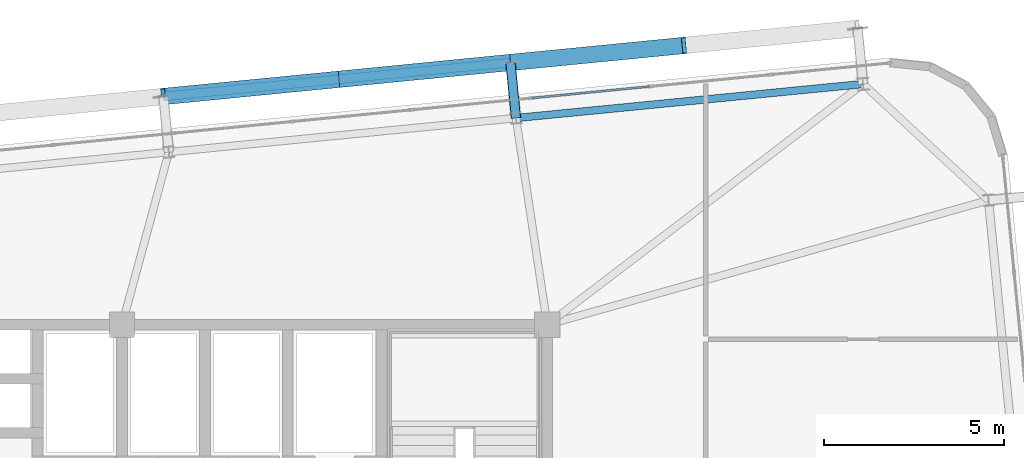
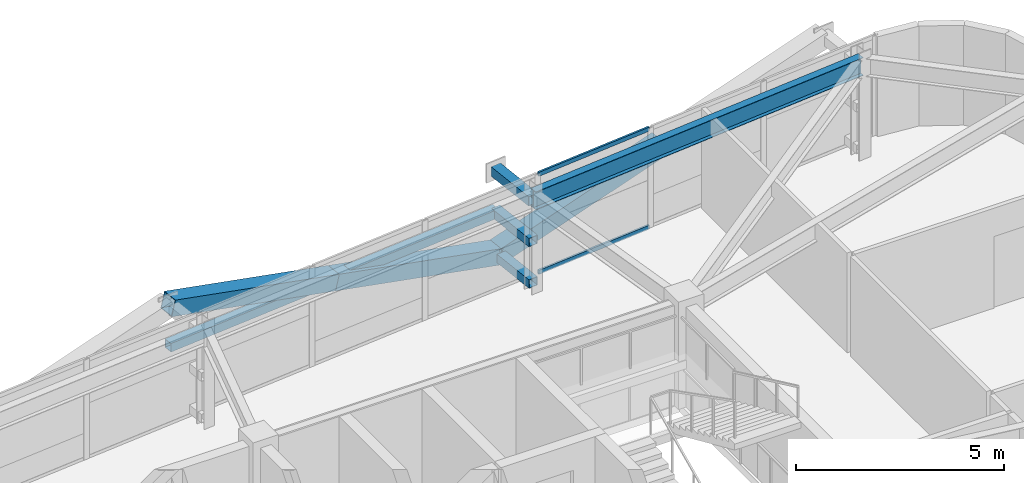
# One storey, part 32 of 52: 9 members, 1 beam, 1 element without a shape of its own.
"""IFC4 building model written with IfcOpenShell, lengths in metres."""

from ifc_helpers import new_model, si_unit, direction, frame, origin, origin_2d, place, context, subcontext, project, spatial, hollow_rectangle, i_section, extrude, source, transform, mapped, material, layer, layer_set, material_profile, profile_set, type_object, element, aggregate, save


model = new_model("IFC4")

# Units and contexts
model_context = context("Model", 3, precision=1e-05, world=origin(), true_north=direction((0.0, 1.0)))
body_context = subcontext(model_context, "Body", "Model", "MODEL_VIEW")
ifc_project = project(units=[si_unit("LENGTHUNIT", "METRE"), si_unit("AREAUNIT", "SQUARE_METRE"), si_unit("VOLUMEUNIT", "CUBIC_METRE"), si_unit("PLANEANGLEUNIT", "RADIAN"), si_unit("MASSUNIT", "GRAM", prefix="KILO")], contexts=[model_context])

# Site, building, storey
site_placement = place(None, origin())
site = spatial("IfcSite", under=ifc_project, at=site_placement, CompositionType="ELEMENT")
building_placement = place(site_placement, origin())
building = spatial("IfcBuilding", under=site, at=building_placement, Name="Taldren Reach Tower", CompositionType="ELEMENT")
storey_placement = place(building_placement, frame((0.0, 0.0, 93.449951171875)))
storey = spatial("IfcBuildingStorey", under=building, at=storey_placement, Name="L28", CompositionType="ELEMENT", Elevation=93.449951171875)

# Members
ifc_material_1 = material(Name="Steel Gr 450 (C450L0)", Category="steel")
ifc_material_profile_1 = material_profile(ifc_material_1, hollow_rectangle(XDim=0.27490234375, YDim=0.27490234375, WallThickness=0.00927734375, at=origin_2d()), Name="275x275x9.3SHS")
ifc_profile_set_1 = profile_set([ifc_material_profile_1], Name="Steel Gr 450 (C450L0)")
member_type_1 = type_object("IfcMemberType", Name="MB-TIE273", PredefinedType="STRUT", material=ifc_profile_set_1)
shared_shape_1 = source(origin(), body_context, "Body", "SweptSolid", [
    extrude(hollow_rectangle(XDim=0.27490234375, YDim=0.27490234375, WallThickness=0.00927734375, at=origin_2d()), origin(), (0.0, 0.0, 1.0), 1.5498046875),
])
member_1_placement = place(storey_placement, frame((50.132080078125, 37.7353515625, 2.650146484375), z_axis=(-0.097663201064, 0.995219523099, 0.0), x_axis=(-0.995219523099, -0.097663201064, 0.0)))
element("IfcMember", 1, at=member_1_placement, inside=storey, type_object=member_type_1, Name="Exoskeleton diaphragm tie strut B2-N5 L28", PredefinedType="STRUT", context=body_context, shape_type="MappedRepresentation", body=[
    mapped(shared_shape_1, transform((0.0, 0.0, 0.0), scale=1.0)),
])
ifc_material_2 = material(Name="Steel Gr 350 (C350L0)", Category="steel")
ifc_material_profile_2 = material_profile(ifc_material_2, hollow_rectangle(XDim=0.25, YDim=0.25, WallThickness=0.010009765625, at=origin_2d()), Name="250x250x10.0SHS")
ifc_profile_set_2 = profile_set([ifc_material_profile_2], Name="Steel Gr 350 (C350L0)")
member_type_2 = type_object("IfcMemberType", Name="MB-POST250", PredefinedType="POST", material=ifc_profile_set_2)
shared_shape_2 = source(origin(), body_context, "Body", "SweptSolid", [
    extrude(hollow_rectangle(XDim=0.25, YDim=0.25, WallThickness=0.010009765625, at=origin_2d()), origin(), (0.0, 0.0, 1.0), 1.5498046875),
])
for number, where, z_axis, x_axis, name in (
    (2, (50.132080078125, 37.7353515625, 0.219970703125), (-0.097663201064, 0.995219523099, 0.0), (-0.995219523099, -0.097663201064, 0.0), "Exoskeleton base diaphragm tie strut B2-N5 L28"),
    (3, (50.132080078125, 37.7353515625, 1.43505859375), (-0.097663201064, 0.995219523099, 0.0), (-0.995219523099, -0.097663201064, 0.0), "Exoskeleton mid-tier diaphragm tie B2-N5 L28"),
):
    element("IfcMember", number, at=place(storey_placement, frame(where, z_axis=z_axis, x_axis=x_axis)), inside=storey, type_object=member_type_2, Name=name, PredefinedType="POST", context=body_context, shape_type="MappedRepresentation", body=[
        mapped(shared_shape_2, transform((0.0, 0.0, 0.0), scale=1.0)),
    ])

# Beam
ifc_material_3 = material(Name="Steel Gr 350 (350PLUS)", Category="steel")
ifc_material_profile_3 = material_profile(ifc_material_3, i_section(OverallWidth=0.208984375, OverallDepth=0.528076171875, WebThickness=0.009521484375, FlangeThickness=0.01318359375, at=origin_2d()), Name="530UB82.0")
ifc_profile_set_3 = profile_set([ifc_material_profile_3], Name="Steel Gr 350 (350PLUS)")
beam_type = type_object("IfcBeamType", Name="SP-UB530B", PredefinedType="SPANDREL", material=ifc_profile_set_3)
shared_shape_3 = source(origin(), body_context, "Body", "SweptSolid", [
    extrude(i_section(OverallWidth=0.208984375, OverallDepth=0.528076171875, WebThickness=0.009521484375, FlangeThickness=0.01318359375, at=origin_2d()), origin(), (0.0, 0.0, 1.0), 9.679931640625),
])
beam_placement = place(storey_placement, frame((59.765869140625, 38.679931640625, 2.666015625), z_axis=(-0.995227612658, -0.097580730699, 0.0), x_axis=(0.097580730699, -0.995227612658, 0.0)))
element("IfcBeam", 4, at=beam_placement, inside=storey, type_object=beam_type, Name="Perimeter spandrel B2 N6-N5 L28", PredefinedType="SPANDREL", context=body_context, shape_type="MappedRepresentation", body=[
    mapped(shared_shape_3, transform((0.0, 0.0, 0.0), scale=1.0)),
])

# Members
ifc_material_profile_4 = material_profile(ifc_material_1, hollow_rectangle(XDim=0.4599609375, YDim=0.4599609375, WallThickness=0.01611328125, at=origin_2d()), Name="460x460x16.0SHS")
ifc_profile_set_4 = profile_set([ifc_material_profile_4], Name="Steel Gr 450 (C450L0)")
member_type_3 = type_object("IfcMemberType", Name="MB-EXO457", PredefinedType="BRACE", material=ifc_profile_set_4)
shared_shape_4 = source(origin(), body_context, "Body", "SweptSolid", [
    extrude(hollow_rectangle(XDim=0.4599609375, YDim=0.4599609375, WallThickness=0.01611328125, at=origin_2d()), origin(), (0.0, 0.0, 1.0), 4.990234375),
])
for number, where, z_axis, x_axis, name in (
    (5, (49.980712890625, 39.27783203125, 0.219970703125), (-0.965275526283, -0.094619506732, 0.243496010862), (0.097555749586, -0.995230061706, 0.0), "Exoskeleton Diagrid Brace B2-N4 L28"),
    (6, (45.163818359375, 38.8056640625, 1.43505859375), (-0.965271056716, -0.094667992638, 0.243494883389), (0.097605711627, -0.995225162995, 0.0), "Exoskeleton Diagrid Brace B2-N4 L28"),
    (7, (49.980712890625, 39.27783203125, 0.219970703125), (0.965271056716, 0.094667992638, 0.243494883389), (-0.097605711627, 0.995225162995, 0.0), "Exoskeleton Diagrid Brace B2-N5 L28"),
):
    element("IfcMember", number, at=place(storey_placement, frame(where, z_axis=z_axis, x_axis=x_axis)), inside=storey, type_object=member_type_3, Name=name, PredefinedType="BRACE", context=body_context, shape_type="MappedRepresentation", body=[
        mapped(shared_shape_4, transform((0.0, 0.0, 0.0), scale=1.0)),
    ])
shared_shape_5 = source(origin(), body_context, "Body", "SweptSolid", [
    extrude(hollow_rectangle(XDim=0.25, YDim=0.25, WallThickness=0.010009765625, at=origin_2d()), origin(), (0.0, 0.0, 1.0), 9.679931640625),
])
member_2_placement = place(storey_placement, frame((40.346923828125, 38.333251953125, 1.43505859375), z_axis=(0.995227612658, 0.097580730699, 0.0), x_axis=(-0.097580730699, 0.995227612658, 0.0)))
element("IfcMember", 8, at=member_2_placement, inside=storey, type_object=member_type_2, Name="Exoskeleton mid-height ring chord B2-N4 L28", PredefinedType="POST", context=body_context, shape_type="MappedRepresentation", body=[
    mapped(shared_shape_5, transform((0.0, 0.0, 0.0), scale=1.0)),
])

# Curtain wall, members
ifc_material_4 = material(Name="Aluminium and Low-E Glass Unitised System", Category="aluminium")
ifc_layer = layer(ifc_material_4, 0.159912109375)
ifc_layer_set = layer_set([ifc_layer], Name="Aluminium and Low-E Glass Unitised System")
curtain_wall_type = type_object("IfcCurtainWallType", Name="CW-SYS-3", PredefinedType="NOTDEFINED", material=ifc_layer_set)
curtain_wall_placement = place(storey_placement, origin())
curtain_wall = element("IfcCurtainWall", 9, at=curtain_wall_placement, inside=storey, type_object=curtain_wall_type, Name="Unitised curtain wall CW-L28-N", PredefinedType="NOTDEFINED")
ifc_material_5 = material(Name="Anodised Aluminium 6063-T6", Category="aluminium")
ifc_material_profile_5 = material_profile(ifc_material_5, hollow_rectangle(XDim=0.054931640625, YDim=0.1201171875, WallThickness=0.0029296875, at=origin_2d()), Name="ALU-120x55x3RHS")
ifc_profile_set_5 = profile_set([ifc_material_profile_5], Name="Anodised Aluminium 6063-T6")
member_type_4 = type_object("IfcMemberType", Name="CW-TRN-135", PredefinedType="USERDEFINED", material=ifc_profile_set_5)
shared_shape_6 = source(origin(), body_context, "Body", "SweptSolid", [
    extrude(hollow_rectangle(XDim=0.054931640625, YDim=0.1201171875, WallThickness=0.0029296875, at=origin_2d()), origin(), (0.0, 0.0, 1.0), 3.268310546875),
])
member_3_placement = place(storey_placement, frame((53.844970703125, 38.61181640625, 0.027587890625), z_axis=(-0.99522980512, -0.097558367146, 0.0), x_axis=(0.097558367146, -0.99522980512, 0.0)))
member_3 = element("IfcMember", 10, at=member_3_placement, type_object=member_type_4, Name="CW-3 transom 3.1", ObjectType="TRANSOM", PredefinedType="USERDEFINED", context=body_context, shape_type="MappedRepresentation", body=[
    mapped(shared_shape_6, transform((0.0, 0.0, 0.0), scale=1.0)),
])
member_4_placement = place(storey_placement, frame((53.844970703125, 38.61181640625, 2.902587890625), z_axis=(-0.99522980512, -0.097558367146, 0.0), x_axis=(0.097558367146, -0.99522980512, 0.0)))
member_4 = element("IfcMember", 11, at=member_4_placement, type_object=member_type_4, Name="CW-3 transom 3.2", ObjectType="TRANSOM", PredefinedType="USERDEFINED", context=body_context, shape_type="MappedRepresentation", body=[
    mapped(shared_shape_6, transform((0.0, 0.0, 0.0), scale=1.0)),
])
aggregate(curtain_wall, [member_3, member_4])

save(model, "model.ifc")
